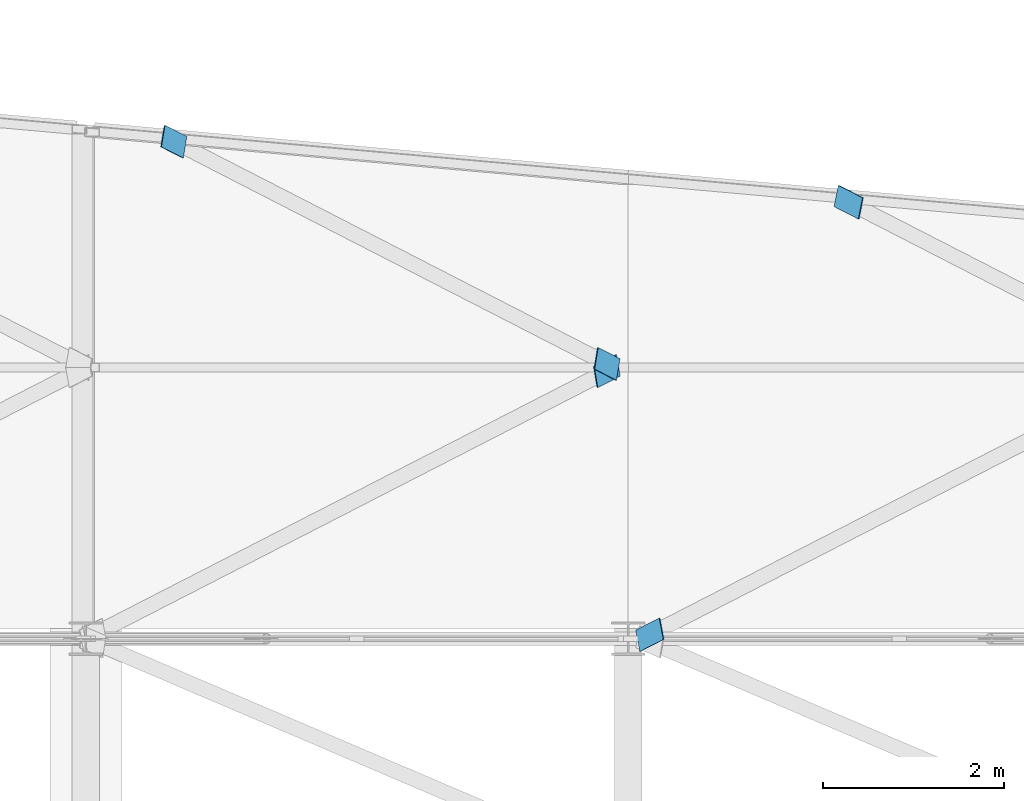
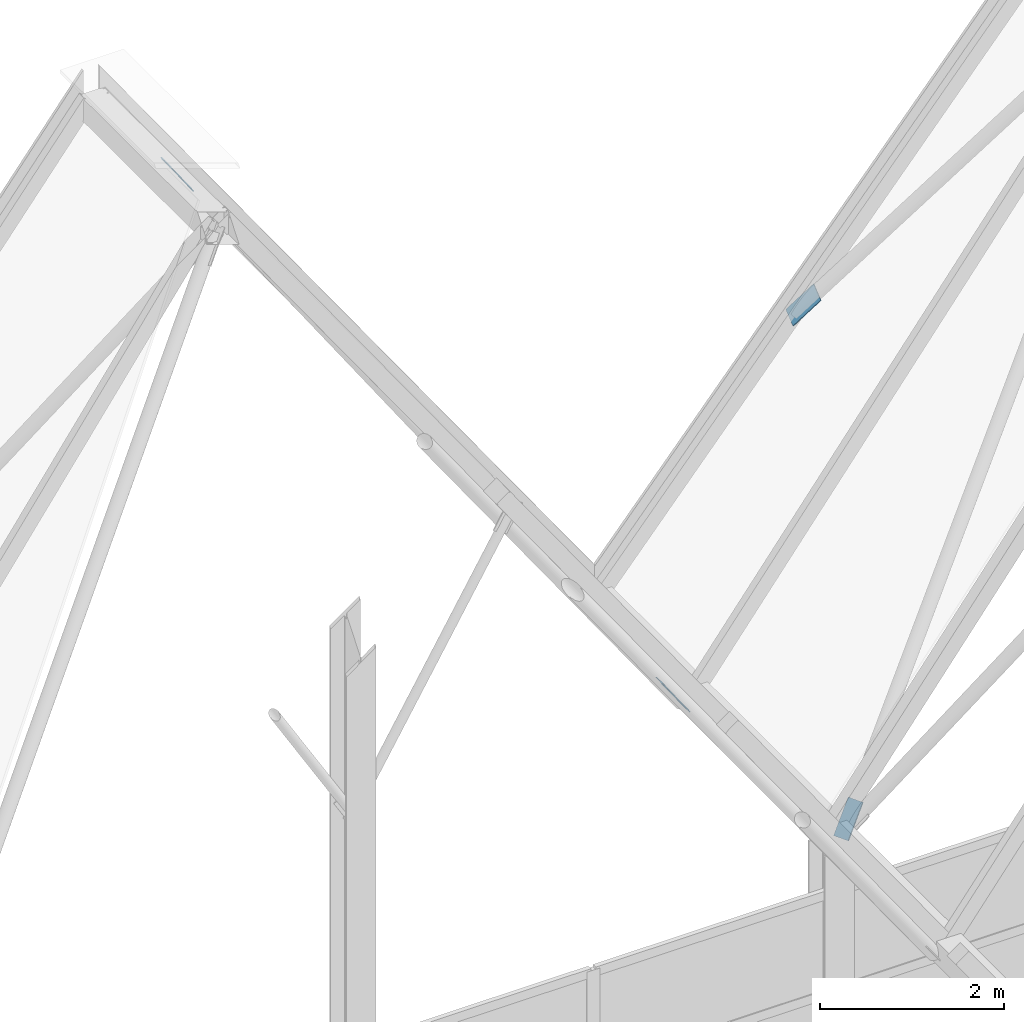
# One storey, part 428 of 483: 5 discrete accessories.
"""IFC4 building model written with IfcOpenShell, lengths in metres."""

from ifc_helpers import new_model, si_unit, direction, frame, origin, place, context, subcontext, project, spatial, polyline, outline, extrude, material, layer, layer_set, type_object, element, save


model = new_model("IFC4")

# Units and contexts
model_context = context("Model", 3, precision=1e-05, world=origin(), true_north=direction((0.0, 1.0)))
body_context = subcontext(model_context, "Body", "Model", "MODEL_VIEW")
ifc_project = project(units=[si_unit("LENGTHUNIT", "METRE"), si_unit("AREAUNIT", "SQUARE_METRE"), si_unit("VOLUMEUNIT", "CUBIC_METRE"), si_unit("PLANEANGLEUNIT", "RADIAN"), si_unit("MASSUNIT", "GRAM", prefix="KILO")], contexts=[model_context])

# Site, building, storey
site_placement = place(None, origin())
site = spatial("IfcSite", under=ifc_project, at=site_placement, CompositionType="ELEMENT")
building_placement = place(site_placement, origin())
building = spatial("IfcBuilding", under=site, at=building_placement, Name="Parallax Yard Mobility Hub", CompositionType="ELEMENT")
storey_placement = place(building_placement, frame((0.0, 0.0, 13.199951171875)))
storey = spatial("IfcBuildingStorey", under=building, at=storey_placement, Name="L04", CompositionType="ELEMENT", Elevation=13.199951171875)

# Discrete accessories
ifc_material = material(Name="Steel ASTM A36", Category="steel")
ifc_layer = layer(ifc_material, 0.011962890625)
ifc_layer_set = layer_set([ifc_layer], Name="Gusset plate PL12")
discrete_accessory_type = type_object("IfcDiscreteAccessoryType", Name="Gusset plate PL12", PredefinedType="BRACKET", material=ifc_layer_set)
discrete_accessory_1_placement = place(storey_placement, frame((68.664306640625, 55.276611328125, 3.6708984375), z_axis=(0.817100065981, -0.000129396714, 0.576495850315), x_axis=(0.552923628498, 0.283205481325, -0.78362626066)))
element("IfcDiscreteAccessory", 1, at=discrete_accessory_1_placement, inside=storey, type_object=discrete_accessory_type, Name="Gusset plate PL12 at end 2 of Plate diagonal plate F10-F11 bay 19", PredefinedType="BRACKET", context=body_context, shape_type="SweptSolid", body=[
    extrude(outline(polyline([(0.0, 0.0), (0.4482721001719502, -2.7755575615628914e-17), (0.44812664715581085, 0.24824150583152582), (4.586198890468157e-05, 0.24818499246141407), (0.0, 0.0)])), origin(), (0.0, 0.0, -1.0), 0.011962890625),
])
discrete_accessory_2_placement = place(storey_placement, frame((69.34375, 52.728271484375, 3.6591796875), z_axis=(-0.793669330086, -0.000127665836, 0.608349388249), x_axis=(-0.580712176729, -0.297827308229, -0.757675565313)))
element("IfcDiscreteAccessory", 2, at=discrete_accessory_2_placement, inside=storey, type_object=discrete_accessory_type, Name="Gusset plate PL12 at end 1 of Plate diagonal plate F11-F12 bay 19", PredefinedType="BRACKET", context=body_context, shape_type="SweptSolid", body=[
    extrude(outline(polyline([(0.0, 0.0), (0.44839724240954243, -1.3877787807814457e-17), (0.44833363511764657, 0.24834963614818814), (-2.0403339604901927e-05, 0.24833620292722908), (0.0, 0.0)])), origin(), (0.0, 0.0, -1.0), 0.011962890625),
])
discrete_accessory_3_placement = place(storey_placement, frame((68.62939453125, 55.482421875, 3.732177734375), z_axis=(0.827337438882, -0.005240845702, 0.561680777453), x_axis=(0.53864194204, -0.276192369739, -0.795979040662)))
element("IfcDiscreteAccessory", 3, at=discrete_accessory_3_placement, inside=storey, type_object=discrete_accessory_type, Name="Gusset plate PL12 at end 1 of Plate diagonal plate F10-F11 bay 20", PredefinedType="BRACKET", context=body_context, shape_type="SweptSolid", body=[
    extrude(outline(polyline([(0.0, 0.0), (0.4481620582379245, 2.7755575615628914e-17), (0.448282963689162, 0.24821702751222824), (-0.00014085514700487578, 0.24839657017266956), (0.0, 0.0)])), origin(), (0.0, 0.0, -1.0), 0.011962890625),
])
discrete_accessory_4_placement = place(storey_placement, frame((64.118408203125, 58.0556640625, 10.39892578125), z_axis=(0.827280841454, -0.004787784047, 0.561768178599), x_axis=(-0.538758755619, 0.27661326343, 0.795753797187)))
element("IfcDiscreteAccessory", 4, at=discrete_accessory_4_placement, inside=storey, type_object=discrete_accessory_type, Name="Gusset plate PL12 at end 2 of Plate diagonal plate F10-F11 bay 20", PredefinedType="BRACKET", context=body_context, shape_type="SweptSolid", body=[
    extrude(outline(polyline([(0.0, 0.0), (0.4483610848575007, -1.3877787807814457e-17), (0.4481745031616386, 0.24841280763431495), (-0.0001817920909154072, 0.24816182512405635), (0.0, 0.0)])), origin(), (0.0, 0.0, -1.0), 0.011962890625),
])
discrete_accessory_5_placement = place(storey_placement, frame((71.593505859375, 57.377685546875, 6.859619140625), z_axis=(-0.777240291353, -0.008484619272, 0.629146676645), x_axis=(-0.600576017336, 0.308183160301, -0.737788307788)))
element("IfcDiscreteAccessory", 5, at=discrete_accessory_5_placement, inside=storey, type_object=discrete_accessory_type, Name="Gusset plate PL12 at end 2 of Plate diagonal plate F11-F12 bay 20", PredefinedType="BRACKET", context=body_context, shape_type="SweptSolid", body=[
    extrude(outline(polyline([(0.0, 0.0), (0.4483813898690988, -1.3877787807814457e-17), (0.448480557823004, 0.2482047994517072), (9.916795390510491e-05, 0.24820479945170718), (0.0, 0.0)])), origin(), (0.0, 0.0, -1.0), 0.011962890625),
])

save(model, "model.ifc")
